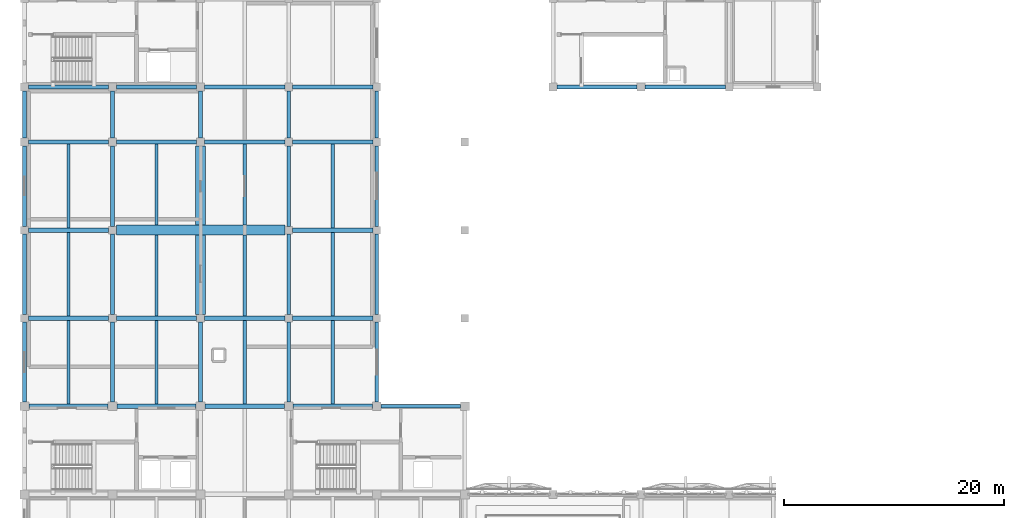
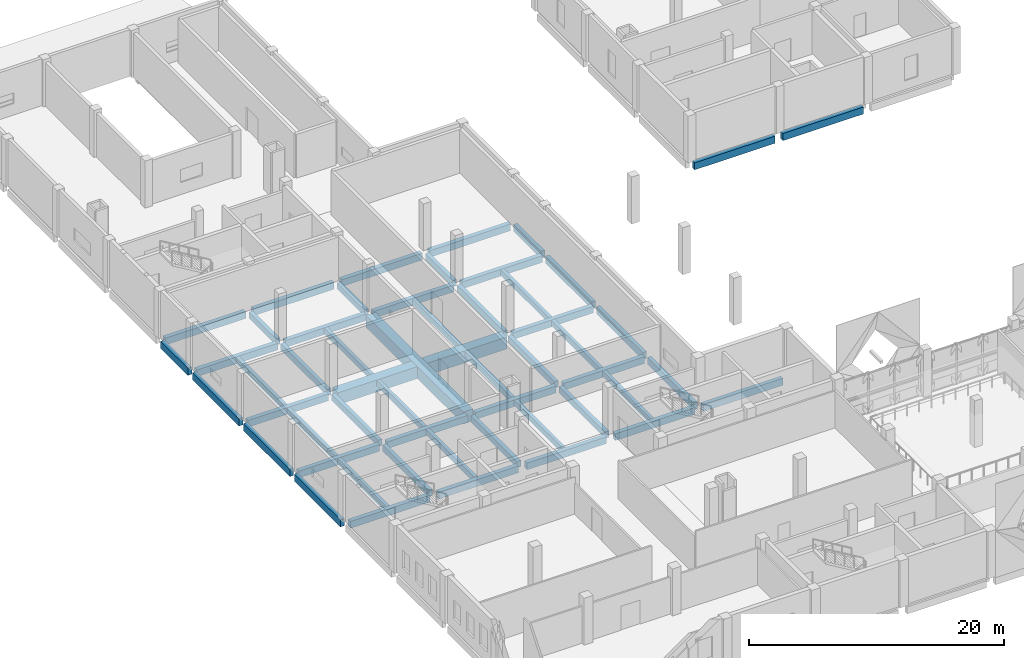
# One storey, part 11 of 37: 53 beams.
"""IFC4 building model written with IfcOpenShell, lengths in metres."""

import ifcopenshell
import ifcopenshell.guid

model = None  # the IFC model being written
_history = None  # IfcOwnerHistory: only IFC2X3 demands one
_inside = {}  # id of a spatial element -> (the spatial element, [elements in it])
_under = {}  # id of a project, library or spatial element -> (it, [spatial elements below it])
_declared = {}  # id of a project -> (the project, [libraries it declares])
_typed = {}  # id of a type object -> (the type object, [elements of that type])
_made_of = {}  # id of a material, layer set ... -> (it, [elements and type objects made of it])


def new_model(schema):
    """Start an empty IFC model of exactly this schema.

    Asked for "IFC4X3", IfcOpenShell would pick the latest addendum, in which some entities
    have other attributes; the version numbers below select the first issue.
    IFC2X3 requires an IfcOwnerHistory on every rooted entity: one is made here for all.
    """
    global model, _history
    if schema == "IFC4X3":
        model = ifcopenshell.file(schema_version=(4, 3, 0, 0))
    else:
        model = ifcopenshell.file(schema=schema)
    _inside.clear()
    _under.clear()
    _declared.clear()
    _typed.clear()
    _made_of.clear()
    _history = None
    if model.schema == "IFC2X3":
        org = make("IfcOrganization", Name="unknown")
        user = make(
            "IfcPersonAndOrganization",
            ThePerson=make("IfcPerson", FamilyName="unknown"),
            TheOrganization=org,
        )
        app = make(
            "IfcApplication",
            ApplicationDeveloper=org,
            Version="unknown",
            ApplicationFullName="unknown",
            ApplicationIdentifier="unknown",
        )
        _history = make(
            "IfcOwnerHistory",
            OwningUser=user,
            OwningApplication=app,
            ChangeAction="ADDED",
            CreationDate=0,
        )
    return model


def make(cls, **values):
    """One entity of the class cls with the attributes given. An attribute that is None is left unset."""
    return model.create_entity(
        cls, **{name: value for name, value in values.items() if value is not None}
    )


def rooted(cls, **values):
    """An entity with a GlobalId (a new one), such as an element, a storey or a relation."""
    return make(cls, GlobalId=ifcopenshell.guid.new(), OwnerHistory=_history, **values)


def si_unit(unit_type, name, prefix=None):
    """IfcSIUnit, for example si_unit("LENGTHUNIT", "METRE", prefix="MILLI")."""
    return make("IfcSIUnit", UnitType=unit_type, Prefix=prefix, Name=name)


def assignment(units):
    """IfcUnitAssignment: the units of a project."""
    return None if units is None else make("IfcUnitAssignment", Units=units)


def point(xyz):
    """IfcCartesianPoint."""
    return None if xyz is None else make("IfcCartesianPoint", Coordinates=xyz)


def direction(xyz):
    """IfcDirection."""
    return None if xyz is None else make("IfcDirection", DirectionRatios=xyz)


def frame(location, z_axis=None, x_axis=None):
    """IfcAxis2Placement3D, a coordinate frame: its origin and axes. An axis left out is left unset."""
    return make(
        "IfcAxis2Placement3D",
        Location=point(location),
        Axis=direction(z_axis),
        RefDirection=direction(x_axis),
    )


def frame_2d(location, x_axis=None):
    """IfcAxis2Placement2D, a coordinate frame in the plane: its origin and x axis."""
    return make(
        "IfcAxis2Placement2D", Location=point(location), RefDirection=direction(x_axis)
    )


def origin():
    """The frame at (0, 0, 0) with its axes left unset."""
    return frame((0.0, 0.0, 0.0))


def origin_2d():
    """The frame at (0, 0) in the plane with its x axis left unset."""
    return frame_2d((0.0, 0.0))


def place(relative_to, where):
    """IfcLocalPlacement: puts the frame where relative to a parent placement (None: the world)."""
    return make(
        "IfcLocalPlacement", PlacementRelTo=relative_to, RelativePlacement=where
    )


def context(
    kind, dimensions, precision=None, world=None, true_north=None, identifier=None
):
    """IfcGeometricRepresentationContext, for example the 3D "Model" context."""
    return make(
        "IfcGeometricRepresentationContext",
        ContextIdentifier=identifier,
        ContextType=kind,
        CoordinateSpaceDimension=dimensions,
        Precision=precision,
        WorldCoordinateSystem=world,
        TrueNorth=true_north,
    )


def subcontext(parent, identifier, kind, view, scale=None):
    """IfcGeometricRepresentationSubContext, for example "Body" below "Model"."""
    return make(
        "IfcGeometricRepresentationSubContext",
        ContextIdentifier=identifier,
        ContextType=kind,
        ParentContext=parent,
        TargetScale=scale,
        TargetView=view,
    )


def project(units=None, contexts=None):
    """IfcProject with its units and contexts."""
    return rooted(
        "IfcProject",
        Name="project",
        RepresentationContexts=contexts,
        UnitsInContext=assignment(units),
    )


def spatial(cls, under=None, at=None, **own):
    """A site, building, storey or space (cls), placed at a placement, below another one or the project."""
    s = rooted(cls, ObjectPlacement=at, **own)
    if under is not None:
        _under.setdefault(under.id(), (under, []))[1].append(s)
    return s


def profile(cls, at=None, kind="AREA", **sizes):
    """A parametric profile (cls). Its sizes go by their IFC names, for example OverallWidth=200.0."""
    return make(cls, ProfileType=kind, Position=at, **sizes)


def rectangle(**sizes):
    """IfcRectangleProfileDef."""
    return profile("IfcRectangleProfileDef", **sizes)


def extrude(swept, where, along, depth):
    """IfcExtrudedAreaSolid: the profile swept, set in the frame where, extruded along a direction by depth."""
    return make(
        "IfcExtrudedAreaSolid",
        SweptArea=swept,
        Position=where,
        ExtrudedDirection=direction(along),
        Depth=depth,
    )


def shape(context_of_items, identifier, shape_type, items):
    """IfcShapeRepresentation: the items that make up one representation, for example the "Body"."""
    return make(
        "IfcShapeRepresentation",
        ContextOfItems=context_of_items,
        RepresentationIdentifier=identifier,
        RepresentationType=shape_type,
        Items=items,
    )


def material(Name=None, Category=None):
    """IfcMaterial."""
    return make("IfcMaterial", Name=Name, Category=Category)


def material_profile(
    of_material, cross_section, Name=None, Category=None, Priority=None
):
    """IfcMaterialProfile: a cross section and its material."""
    return make(
        "IfcMaterialProfile",
        Name=Name,
        Material=of_material,
        Profile=cross_section,
        Priority=Priority,
        Category=Category,
    )


def profile_set(profiles, Name=None, composite=None):
    """IfcMaterialProfileSet."""
    return make(
        "IfcMaterialProfileSet",
        Name=Name,
        MaterialProfiles=profiles,
        CompositeProfile=composite,
    )


def made_of(thing, what):
    """Note that an element or type object is made of a material, layer set ...; save() writes the relation."""
    if what is not None:
        _made_of.setdefault(what.id(), (what, []))[1].append(thing)
    return thing


def type_object(cls, material=None, **own):
    """A type object (cls), such as IfcWallType, which elements share."""
    return made_of(rooted(cls, **own), material)


def element(
    cls,
    number,
    at=None,
    inside=None,
    cuts=None,
    type_object=None,
    material=None,
    context=None,
    identifier="Body",
    shape_type=None,
    held_by="IfcProductDefinitionShape",
    body=None,
    shapes=None,
    **own,
):
    """One element of the class cls, such as IfcWall. Its Tag is "e" and its number.

    at: its placement. inside: the storey or other place that contains it. cuts: it is an
    opening in that element (IfcRelVoidsElement). A single representation is given by context,
    identifier, shape_type and body (its items); several are given by shapes. held_by: the class
    of the entity that holds the representations. save() writes the other relations.
    """
    e = rooted(cls, Tag="e%d" % number, ObjectPlacement=at, **own)
    if body is not None:
        shapes = [shape(context, identifier, shape_type, body)]
    if shapes is not None:
        e.Representation = make(held_by, Representations=shapes)
    if inside is not None:
        _inside.setdefault(inside.id(), (inside, []))[1].append(e)
    if cuts is not None:
        rooted(
            "IfcRelVoidsElement", RelatingBuildingElement=cuts, RelatedOpeningElement=e
        )
    if type_object is not None:
        _typed.setdefault(type_object.id(), (type_object, []))[1].append(e)
    return made_of(e, material)


def aggregate(whole, parts):
    """IfcRelAggregates: a whole, such as a stair, and the parts it consists of."""
    return rooted("IfcRelAggregates", RelatingObject=whole, RelatedObjects=parts)


def save(model, path):
    """Write the relations noted so far, then the file.

    IfcRelAggregates (storeys below a building ...), IfcRelContainedInSpatialStructure (elements
    in a storey), IfcRelDefinesByType, IfcRelAssociatesMaterial and IfcRelDeclares: one each for
    every whole, place, type object, material and project.
    """
    for whole, parts in _under.values():
        aggregate(whole, parts)
    for where, things in _inside.values():
        rooted(
            "IfcRelContainedInSpatialStructure",
            RelatedElements=things,
            RelatingStructure=where,
        )
    for kind, things in _typed.values():
        rooted("IfcRelDefinesByType", RelatedObjects=things, RelatingType=kind)
    for what, things in _made_of.values():
        rooted("IfcRelAssociatesMaterial", RelatedObjects=things, RelatingMaterial=what)
    for by, libraries in _declared.values():
        rooted("IfcRelDeclares", RelatingContext=by, RelatedDefinitions=libraries)
    model.write(path)


model = new_model("IFC4")

# Units and contexts
model_context = context("Model", 3, precision=1e-05, world=origin(), true_north=direction((0.0, 1.0)))
body_context = subcontext(model_context, "Body", "Model", "MODEL_VIEW")
ifc_project = project(units=[si_unit("LENGTHUNIT", "METRE"), si_unit("AREAUNIT", "SQUARE_METRE"), si_unit("VOLUMEUNIT", "CUBIC_METRE"), si_unit("PLANEANGLEUNIT", "RADIAN"), si_unit("MASSUNIT", "GRAM", prefix="KILO")], contexts=[model_context])

# Site, building, storey
site_placement = place(None, origin())
site = spatial("IfcSite", under=ifc_project, at=site_placement, CompositionType="ELEMENT")
building_placement = place(site_placement, origin())
building = spatial("IfcBuilding", under=site, at=building_placement, Name="Qorikala Patio Media Centre", CompositionType="ELEMENT")
storey_placement = place(building_placement, frame((0.0, 0.0, 14.39990234375)))
storey = spatial("IfcBuildingStorey", under=building, at=storey_placement, Name="L03", CompositionType="ELEMENT", Elevation=14.39990234375)

# Beams
ifc_material = material(Name="Concrete C35/45", Category="concrete")
ifc_material_profile_1 = material_profile(ifc_material, rectangle(XDim=0.35009765625, YDim=0.60009765625, at=origin_2d()), Name="RC 350x600")
ifc_profile_set_1 = profile_set([ifc_material_profile_1], Name="Concrete C35/45")
beam_type_1 = type_object("IfcBeamType", Name="BM-G350X600", PredefinedType="BEAM", material=ifc_profile_set_1)
beam_1_placement = place(storey_placement, frame((11.0, 35.39990234375, -0.599853515625), z_axis=(0.0, 1.0, 0.0), x_axis=(-1.0, 0.0, 0.0)))
element("IfcBeam", 1, at=beam_1_placement, inside=storey, type_object=beam_type_1, Name="L03 Grid X=11 Beam 1202", PredefinedType="BEAM", context=body_context, shape_type="SweptSolid", body=[
    extrude(rectangle(XDim=0.35009765625, YDim=0.60009765625, at=origin_2d()), origin(), (0.0, 0.0, 1.0), 7.25),
])
for number, where, z_axis, x_axis, name in (
    (2, (11.0, 43.35009765625, -0.599853515625), (0.0, 1.0, 0.0), (-1.0, 0.0, 0.0), "L03 Grid X=11 Beam 1203"),
    (3, (11.0, 51.35009765625, -0.599853515625), (0.0, 1.0, 0.0), (-1.0, 0.0, 0.0), "L03 Grid X=11 Beam 1204"),
):
    element("IfcBeam", number, at=place(storey_placement, frame(where, z_axis=z_axis, x_axis=x_axis)), inside=storey, type_object=beam_type_1, Name=name, PredefinedType="BEAM", context=body_context, shape_type="SweptSolid", body=[
        extrude(rectangle(XDim=0.35009765625, YDim=0.60009765625, at=origin_2d()), origin(), (0.0, 0.0, 1.0), 7.2998046875),
    ])
beam_2_placement = place(storey_placement, frame((11.0, 59.35009765625, -0.599853515625), z_axis=(0.0, 1.0, 0.0), x_axis=(-1.0, 0.0, 0.0)))
element("IfcBeam", 4, at=beam_2_placement, inside=storey, type_object=beam_type_1, Name="L03 Grid X=11 Beam 1205", PredefinedType="BEAM", context=body_context, shape_type="SweptSolid", body=[
    extrude(rectangle(XDim=0.35009765625, YDim=0.60009765625, at=origin_2d()), origin(), (0.0, 0.0, 1.0), 4.2998046875),
])
beam_3_placement = place(storey_placement, frame((19.0, 35.39990234375, -0.599853515625), z_axis=(0.0, 1.0, 0.0), x_axis=(-1.0, 0.0, 0.0)))
element("IfcBeam", 5, at=beam_3_placement, inside=storey, type_object=beam_type_1, Name="L03 Grid X=19 Beam 1210", PredefinedType="BEAM", context=body_context, shape_type="SweptSolid", body=[
    extrude(rectangle(XDim=0.35009765625, YDim=0.60009765625, at=origin_2d()), origin(), (0.0, 0.0, 1.0), 7.25),
])
beam_4_placement = place(storey_placement, frame((19.0, 59.35009765625, -0.599853515625), z_axis=(0.0, 1.0, 0.0), x_axis=(-1.0, 0.0, 0.0)))
element("IfcBeam", 6, at=beam_4_placement, inside=storey, type_object=beam_type_1, Name="L03 Grid X=19 Beam 1212", PredefinedType="BEAM", context=body_context, shape_type="SweptSolid", body=[
    extrude(rectangle(XDim=0.35009765625, YDim=0.60009765625, at=origin_2d()), origin(), (0.0, 0.0, 1.0), 4.2998046875),
])
beam_5_placement = place(storey_placement, frame((27.0, 35.39990234375, -0.599853515625), z_axis=(0.0, 1.0, 0.0), x_axis=(-1.0, 0.0, 0.0)))
element("IfcBeam", 7, at=beam_5_placement, inside=storey, type_object=beam_type_1, Name="L03 Grid X=27 Beam 1219", PredefinedType="BEAM", context=body_context, shape_type="SweptSolid", body=[
    extrude(rectangle(XDim=0.35009765625, YDim=0.60009765625, at=origin_2d()), origin(), (0.0, 0.0, 1.0), 7.25),
])
for number, where, z_axis, x_axis, name in (
    (8, (27.0, 43.35009765625, -0.599853515625), (0.0, 1.0, 0.0), (-1.0, 0.0, 0.0), "L03 Grid X=27 Beam 1220"),
    (9, (27.0, 51.35009765625, -0.599853515625), (0.0, 1.0, 0.0), (-1.0, 0.0, 0.0), "L03 Grid X=27 Beam 1221"),
):
    element("IfcBeam", number, at=place(storey_placement, frame(where, z_axis=z_axis, x_axis=x_axis)), inside=storey, type_object=beam_type_1, Name=name, PredefinedType="BEAM", context=body_context, shape_type="SweptSolid", body=[
        extrude(rectangle(XDim=0.35009765625, YDim=0.60009765625, at=origin_2d()), origin(), (0.0, 0.0, 1.0), 7.2998046875),
    ])
beam_6_placement = place(storey_placement, frame((27.0, 59.35009765625, -0.599853515625), z_axis=(0.0, 1.0, 0.0), x_axis=(-1.0, 0.0, 0.0)))
element("IfcBeam", 10, at=beam_6_placement, inside=storey, type_object=beam_type_1, Name="L03 Grid X=27 Beam 1222", PredefinedType="BEAM", context=body_context, shape_type="SweptSolid", body=[
    extrude(rectangle(XDim=0.35009765625, YDim=0.60009765625, at=origin_2d()), origin(), (0.0, 0.0, 1.0), 4.2998046875),
])
ifc_material_profile_2 = material_profile(ifc_material, rectangle(XDim=0.39990234375, YDim=0.64990234375, at=origin_2d()), Name="RC 400x650")
ifc_profile_set_2 = profile_set([ifc_material_profile_2], Name="Concrete C35/45")
beam_type_2 = type_object("IfcBeamType", Name="BM-G400X650", PredefinedType="BEAM", material=ifc_profile_set_2)
for number, where, z_axis, x_axis, name in (
    (11, (3.39990234375, 35.0, -0.625), (1.0, 0.0, 0.0), (0.0, 1.0, 0.0), "L03 Grid 35 Beam 1146"),
    (12, (11.39990234375, 35.0, -0.625), (1.0, 0.0, 0.0), (0.0, 1.0, 0.0), "L03 Grid 35 Beam 1147"),
    (13, (19.39990234375, 35.0, -0.625), (1.0, 0.0, 0.0), (0.0, 1.0, 0.0), "L03 Grid 35 Beam 1148"),
    (14, (27.39990234375, 35.0, -0.625), (1.0, 0.0, 0.0), (0.0, 1.0, 0.0), "L03 Grid 35 Beam 1149"),
):
    element("IfcBeam", number, at=place(storey_placement, frame(where, z_axis=z_axis, x_axis=x_axis)), inside=storey, type_object=beam_type_2, Name=name, PredefinedType="BEAM", context=body_context, shape_type="SweptSolid", body=[
        extrude(rectangle(XDim=0.39990234375, YDim=0.64990234375, at=origin_2d()), origin(), (0.0, 0.0, 1.0), 7.2001953125),
    ])
for number, where, z_axis, x_axis, name in (
    (15, (3.35009765625, 43.0, -0.625), (1.0, 0.0, 0.0), (0.0, 1.0, 0.0), "L03 Grid 43 Beam 1151"),
    (16, (11.35009765625, 43.0, -0.625), (1.0, 0.0, 0.0), (0.0, 1.0, 0.0), "L03 Grid 43 Beam 1152"),
    (17, (19.35009765625, 43.0, -0.625), (1.0, 0.0, 0.0), (0.0, 1.0, 0.0), "L03 Grid 43 Beam 1153"),
    (18, (27.35009765625, 43.0, -0.625), (1.0, 0.0, 0.0), (0.0, 1.0, 0.0), "L03 Grid 43 Beam 1154"),
    (19, (3.35009765625, 51.0, -0.625), (1.0, 0.0, 0.0), (0.0, 1.0, 0.0), "L03 Grid 51 Beam 1155"),
    (20, (27.35009765625, 51.0, -0.625), (1.0, 0.0, 0.0), (0.0, 1.0, 0.0), "L03 Grid 51 Beam 1157"),
    (21, (3.35009765625, 59.0, -0.625), (1.0, 0.0, 0.0), (0.0, 1.0, 0.0), "L03 Grid 59 Beam 1158"),
    (22, (11.35009765625, 59.0, -0.625), (1.0, 0.0, 0.0), (0.0, 1.0, 0.0), "L03 Grid 59 Beam 1159"),
    (23, (19.35009765625, 59.0, -0.625), (1.0, 0.0, 0.0), (0.0, 1.0, 0.0), "L03 Grid 59 Beam 1160"),
    (24, (27.35009765625, 59.0, -0.625), (1.0, 0.0, 0.0), (0.0, 1.0, 0.0), "L03 Grid 59 Beam 1161"),
    (25, (3.35009765625, 64.0, -0.625), (1.0, 0.0, 0.0), (0.0, 1.0, 0.0), "L03 Grid 64 Beam 1162"),
    (26, (11.35009765625, 64.0, -0.625), (1.0, 0.0, 0.0), (0.0, 1.0, 0.0), "L03 Grid 64 Beam 1163"),
    (27, (19.35009765625, 64.0, -0.625), (1.0, 0.0, 0.0), (0.0, 1.0, 0.0), "L03 Grid 64 Beam 1164"),
    (28, (27.35009765625, 64.0, -0.625), (1.0, 0.0, 0.0), (0.0, 1.0, 0.0), "L03 Grid 64 Beam 1165"),
):
    element("IfcBeam", number, at=place(storey_placement, frame(where, z_axis=z_axis, x_axis=x_axis)), inside=storey, type_object=beam_type_2, Name=name, PredefinedType="BEAM", context=body_context, shape_type="SweptSolid", body=[
        extrude(rectangle(XDim=0.39990234375, YDim=0.64990234375, at=origin_2d()), origin(), (0.0, 0.0, 1.0), 7.2998046875),
    ])
ifc_material_profile_3 = material_profile(ifc_material, rectangle(XDim=0.89990234375, YDim=1.14990234375, at=origin_2d()), Name="RC 900x1150")
ifc_profile_set_3 = profile_set([ifc_material_profile_3], Name="Concrete C35/45")
beam_type_3 = type_object("IfcBeamType", Name="BM-TR900X1150", PredefinedType="BEAM", material=ifc_profile_set_3)
for number, where, z_axis, x_axis, name in (
    (29, (11.35009765625, 51.0, -0.875), (1.0, 0.0, 0.0), (0.0, 1.0, 0.0), "L03 Grid 51 Beam 1156"),
    (30, (19.0, 43.35009765625, -0.875), (0.0, 1.0, 0.0), (-1.0, 0.0, 0.0), "L03 Grid X=19 Transfer Girder 1211"),
):
    element("IfcBeam", number, at=place(storey_placement, frame(where, z_axis=z_axis, x_axis=x_axis)), inside=storey, type_object=beam_type_3, Name=name, PredefinedType="BEAM", context=body_context, shape_type="SweptSolid", body=[
        extrude(rectangle(XDim=0.89990234375, YDim=1.14990234375, at=origin_2d()), origin(), (0.0, 0.0, 1.0), 15.2998046875),
    ])
ifc_material_profile_4 = material_profile(ifc_material, rectangle(XDim=0.300048828125, YDim=0.550048828125, at=origin_2d()), Name="RC 300x550")
ifc_profile_set_4 = profile_set([ifc_material_profile_4], Name="Concrete C35/45")
beam_type_4 = type_object("IfcBeamType", Name="JS-300X550", PredefinedType="JOIST", material=ifc_profile_set_4)
for number, where, z_axis, x_axis, name in (
    (31, (7.0, 35.199951171875, -0.574951171875), (0.0, 1.0, 0.0), (-1.0, 0.0, 0.0), "L03 Secondary Joist 1267"),
    (32, (7.0, 43.199951171875, -0.574951171875), (0.0, 1.0, 0.0), (-1.0, 0.0, 0.0), "L03 Secondary Joist 1268"),
    (33, (7.0, 51.199951171875, -0.574951171875), (0.0, 1.0, 0.0), (-1.0, 0.0, 0.0), "L03 Secondary Joist 1269"),
    (34, (15.0, 35.199951171875, -0.574951171875), (0.0, 1.0, 0.0), (-1.0, 0.0, 0.0), "L03 Secondary Joist 1276"),
):
    element("IfcBeam", number, at=place(storey_placement, frame(where, z_axis=z_axis, x_axis=x_axis)), inside=storey, type_object=beam_type_4, Name=name, PredefinedType="JOIST", context=body_context, shape_type="SweptSolid", body=[
        extrude(rectangle(XDim=0.300048828125, YDim=0.550048828125, at=origin_2d()), origin(), (0.0, 0.0, 1.0), 7.60009765625),
    ])
for number, where, z_axis, x_axis, name in (
    (35, (15.0, 43.199951171875, -0.574951171875), (0.0, 1.0, 0.0), (-1.0, 0.0, 0.0), "L03 Secondary Joist 1277"),
    (36, (15.0, 51.449951171875, -0.574951171875), (0.0, 1.0, 0.0), (-1.0, 0.0, 0.0), "L03 Secondary Joist 1278"),
):
    element("IfcBeam", number, at=place(storey_placement, frame(where, z_axis=z_axis, x_axis=x_axis)), inside=storey, type_object=beam_type_4, Name=name, PredefinedType="JOIST", context=body_context, shape_type="SweptSolid", body=[
        extrude(rectangle(XDim=0.300048828125, YDim=0.550048828125, at=origin_2d()), origin(), (0.0, 0.0, 1.0), 7.35009765625),
    ])
beam_7_placement = place(storey_placement, frame((23.0, 35.199951171875, -0.574951171875), z_axis=(0.0, 1.0, 0.0), x_axis=(-1.0, 0.0, 0.0)))
element("IfcBeam", 37, at=beam_7_placement, inside=storey, type_object=beam_type_4, Name="L03 Secondary Joist 1283", PredefinedType="JOIST", context=body_context, shape_type="SweptSolid", body=[
    extrude(rectangle(XDim=0.300048828125, YDim=0.550048828125, at=origin_2d()), origin(), (0.0, 0.0, 1.0), 7.60009765625),
])
for number, where, z_axis, x_axis, name in (
    (38, (23.0, 43.199951171875, -0.574951171875), (0.0, 1.0, 0.0), (-1.0, 0.0, 0.0), "L03 Secondary Joist 1284"),
    (39, (23.0, 51.449951171875, -0.574951171875), (0.0, 1.0, 0.0), (-1.0, 0.0, 0.0), "L03 Secondary Joist 1285"),
):
    element("IfcBeam", number, at=place(storey_placement, frame(where, z_axis=z_axis, x_axis=x_axis)), inside=storey, type_object=beam_type_4, Name=name, PredefinedType="JOIST", context=body_context, shape_type="SweptSolid", body=[
        extrude(rectangle(XDim=0.300048828125, YDim=0.550048828125, at=origin_2d()), origin(), (0.0, 0.0, 1.0), 7.35009765625),
    ])
for number, where, z_axis, x_axis, name in (
    (40, (31.0, 35.199951171875, -0.574951171875), (0.0, 1.0, 0.0), (-1.0, 0.0, 0.0), "L03 Secondary Joist 1290"),
    (41, (31.0, 43.199951171875, -0.574951171875), (0.0, 1.0, 0.0), (-1.0, 0.0, 0.0), "L03 Secondary Joist 1291"),
    (42, (31.0, 51.199951171875, -0.574951171875), (0.0, 1.0, 0.0), (-1.0, 0.0, 0.0), "L03 Secondary Joist 1292"),
):
    element("IfcBeam", number, at=place(storey_placement, frame(where, z_axis=z_axis, x_axis=x_axis)), inside=storey, type_object=beam_type_4, Name=name, PredefinedType="JOIST", context=body_context, shape_type="SweptSolid", body=[
        extrude(rectangle(XDim=0.300048828125, YDim=0.550048828125, at=origin_2d()), origin(), (0.0, 0.0, 1.0), 7.60009765625),
    ])
ifc_material_profile_5 = material_profile(ifc_material, rectangle(XDim=0.35009765625, YDim=0.679931640625, at=origin_2d()), Name="RC 350x680")
ifc_profile_set_5 = profile_set([ifc_material_profile_5], Name="Concrete C35/45")
beam_type_5 = type_object("IfcBeamType", Name="SP-350X680", PredefinedType="SPANDREL", material=ifc_profile_set_5)
beam_8_placement = place(storey_placement, frame((35.39990234375, 35.0, -0.639892578125), z_axis=(1.0, 0.0, 0.0), x_axis=(0.0, 1.0, 0.0)))
element("IfcBeam", 43, at=beam_8_placement, inside=storey, type_object=beam_type_5, Name="L03 Grid 35 Beam 1150", PredefinedType="SPANDREL", context=body_context, shape_type="SweptSolid", body=[
    extrude(rectangle(XDim=0.35009765625, YDim=0.679931640625, at=origin_2d()), origin(), (0.0, 0.0, 1.0), 7.2001953125),
])
for number, where, z_axis, x_axis, name in (
    (44, (51.35009765625, 64.0, -0.639892578125), (1.0, 0.0, 0.0), (0.0, 1.0, 0.0), "L03 Grid 64 Beam 1166"),
    (45, (59.35009765625, 64.0, -0.639892578125), (1.0, 0.0, 0.0), (0.0, 1.0, 0.0), "L03 Grid 64 Beam 1167"),
):
    element("IfcBeam", number, at=place(storey_placement, frame(where, z_axis=z_axis, x_axis=x_axis)), inside=storey, type_object=beam_type_5, Name=name, PredefinedType="SPANDREL", context=body_context, shape_type="SweptSolid", body=[
        extrude(rectangle(XDim=0.35009765625, YDim=0.679931640625, at=origin_2d()), origin(), (0.0, 0.0, 1.0), 7.2998046875),
    ])
beam_9_placement = place(storey_placement, frame((3.0, 35.39990234375, -0.639892578125), z_axis=(0.0, 1.0, 0.0), x_axis=(-1.0, 0.0, 0.0)))
element("IfcBeam", 46, at=beam_9_placement, inside=storey, type_object=beam_type_5, Name="L03 Grid X=3 Beam 1191", PredefinedType="SPANDREL", context=body_context, shape_type="SweptSolid", body=[
    extrude(rectangle(XDim=0.35009765625, YDim=0.679931640625, at=origin_2d()), origin(), (0.0, 0.0, 1.0), 7.25),
])
for number, where, z_axis, x_axis, name in (
    (47, (3.0, 43.35009765625, -0.639892578125), (0.0, 1.0, 0.0), (-1.0, 0.0, 0.0), "L03 Grid X=3 Beam 1192"),
    (48, (3.0, 51.35009765625, -0.639892578125), (0.0, 1.0, 0.0), (-1.0, 0.0, 0.0), "L03 Grid X=3 Beam 1193"),
):
    element("IfcBeam", number, at=place(storey_placement, frame(where, z_axis=z_axis, x_axis=x_axis)), inside=storey, type_object=beam_type_5, Name=name, PredefinedType="SPANDREL", context=body_context, shape_type="SweptSolid", body=[
        extrude(rectangle(XDim=0.35009765625, YDim=0.679931640625, at=origin_2d()), origin(), (0.0, 0.0, 1.0), 7.2998046875),
    ])
beam_10_placement = place(storey_placement, frame((3.0, 59.35009765625, -0.639892578125), z_axis=(0.0, 1.0, 0.0), x_axis=(-1.0, 0.0, 0.0)))
element("IfcBeam", 49, at=beam_10_placement, inside=storey, type_object=beam_type_5, Name="L03 Grid X=3 Beam 1194", PredefinedType="SPANDREL", context=body_context, shape_type="SweptSolid", body=[
    extrude(rectangle(XDim=0.35009765625, YDim=0.679931640625, at=origin_2d()), origin(), (0.0, 0.0, 1.0), 4.2998046875),
])
beam_11_placement = place(storey_placement, frame((35.0, 35.39990234375, -0.639892578125), z_axis=(0.0, 1.0, 0.0), x_axis=(-1.0, 0.0, 0.0)))
element("IfcBeam", 50, at=beam_11_placement, inside=storey, type_object=beam_type_5, Name="L03 Grid X=35 Beam 1229", PredefinedType="SPANDREL", context=body_context, shape_type="SweptSolid", body=[
    extrude(rectangle(XDim=0.35009765625, YDim=0.679931640625, at=origin_2d()), origin(), (0.0, 0.0, 1.0), 7.25),
])
for number, where, z_axis, x_axis, name in (
    (51, (35.0, 43.35009765625, -0.639892578125), (0.0, 1.0, 0.0), (-1.0, 0.0, 0.0), "L03 Grid X=35 Beam 1230"),
    (52, (35.0, 51.35009765625, -0.639892578125), (0.0, 1.0, 0.0), (-1.0, 0.0, 0.0), "L03 Grid X=35 Beam 1231"),
):
    element("IfcBeam", number, at=place(storey_placement, frame(where, z_axis=z_axis, x_axis=x_axis)), inside=storey, type_object=beam_type_5, Name=name, PredefinedType="SPANDREL", context=body_context, shape_type="SweptSolid", body=[
        extrude(rectangle(XDim=0.35009765625, YDim=0.679931640625, at=origin_2d()), origin(), (0.0, 0.0, 1.0), 7.2998046875),
    ])
beam_12_placement = place(storey_placement, frame((35.0, 59.35009765625, -0.639892578125), z_axis=(0.0, 1.0, 0.0), x_axis=(-1.0, 0.0, 0.0)))
element("IfcBeam", 53, at=beam_12_placement, inside=storey, type_object=beam_type_5, Name="L03 Grid X=35 Beam 1232", PredefinedType="SPANDREL", context=body_context, shape_type="SweptSolid", body=[
    extrude(rectangle(XDim=0.35009765625, YDim=0.679931640625, at=origin_2d()), origin(), (0.0, 0.0, 1.0), 4.2998046875),
])

save(model, "model.ifc")
